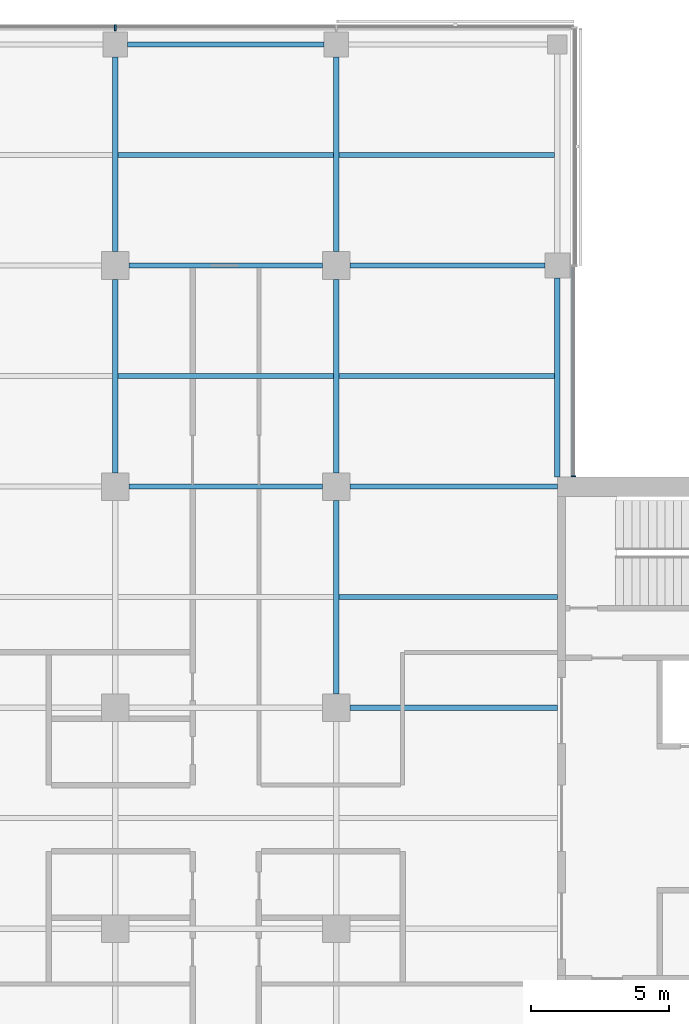
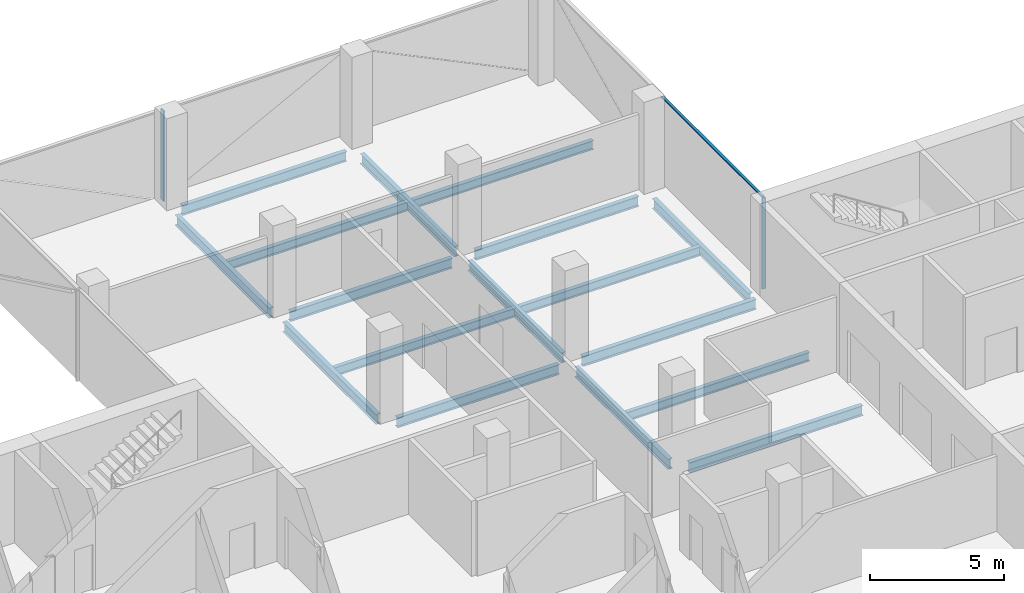
# One storey, part 9 of 22: 17 beams, 3 members, 2 elements without a shape of their own.
"""IFC4 building model written with IfcOpenShell, lengths in metres."""

from ifc_helpers import new_model, si_unit, direction, frame, origin, origin_2d, place, context, subcontext, project, spatial, rectangle, i_section, extrude, material, material_profile, profile_set, type_object, element, aggregate, save


model = new_model("IFC4")

# Units and contexts
model_context = context("Model", 3, precision=1e-05, world=origin(), true_north=direction((0.0, 1.0)))
body_context = subcontext(model_context, "Body", "Model", "MODEL_VIEW")
ifc_project = project(units=[si_unit("LENGTHUNIT", "METRE"), si_unit("AREAUNIT", "SQUARE_METRE"), si_unit("VOLUMEUNIT", "CUBIC_METRE"), si_unit("PLANEANGLEUNIT", "RADIAN"), si_unit("MASSUNIT", "GRAM", prefix="KILO")], contexts=[model_context])

# Site, building, storey
site_placement = place(None, origin())
site = spatial("IfcSite", under=ifc_project, at=site_placement, CompositionType="ELEMENT")
building_placement = place(site_placement, origin())
building = spatial("IfcBuilding", under=site, at=building_placement, Name="Crosswind Convention Tower", CompositionType="ELEMENT")
storey_placement = place(building_placement, frame((0.0, 0.0, 116.89990234375)))
storey = spatial("IfcBuildingStorey", under=building, at=storey_placement, Name="L23", CompositionType="ELEMENT", Elevation=116.89990234375)

# Beams
ifc_material_1 = material(Name="Steel S355", Category="steel")
ifc_material_profile_1 = material_profile(ifc_material_1, i_section(OverallWidth=0.18994140625, OverallDepth=0.45361328125, WebThickness=0.008544921875, FlangeThickness=0.0126953125, FilletRadius=0.01025390625, at=origin_2d()), Name="UB 457x191x67")
ifc_profile_set_1 = profile_set([ifc_material_profile_1], Name="Steel S355")
beam_type_1 = type_object("IfcBeamType", Name="Edge beam UB 457x191x67", PredefinedType="SPANDREL", material=ifc_profile_set_1)
beam_1_placement = place(storey_placement, frame((121.449951171875, 128.0, -0.526611328125), z_axis=(1.0, 0.0, 0.0), x_axis=(0.0, 1.0, 0.0)))
element("IfcBeam", 1, at=beam_1_placement, inside=storey, type_object=beam_type_1, Name="B16 L23 edge beam 13", PredefinedType="SPANDREL", context=body_context, shape_type="SweptSolid", body=[
    extrude(i_section(OverallWidth=0.18994140625, OverallDepth=0.45361328125, WebThickness=0.008544921875, FlangeThickness=0.0126953125, FilletRadius=0.01025390625, at=origin_2d()), origin(), (0.0, 0.0, 1.0), 7.10009765625),
])
beam_2_placement = place(storey_placement, frame((137.0, 112.35009765625, -0.526611328125), z_axis=(0.0, 1.0, 0.0), x_axis=(-1.0, 0.0, 0.0)))
element("IfcBeam", 2, at=beam_2_placement, inside=storey, type_object=beam_type_1, Name="B16 L23 edge beam 18", PredefinedType="SPANDREL", context=body_context, shape_type="SweptSolid", body=[
    extrude(i_section(OverallWidth=0.18994140625, OverallDepth=0.45361328125, WebThickness=0.008544921875, FlangeThickness=0.0126953125, FilletRadius=0.01025390625, at=origin_2d()), origin(), (0.0, 0.0, 1.0), 7.199951171875),
])
ifc_material_profile_2 = material_profile(ifc_material_1, i_section(OverallWidth=0.19140625, OverallDepth=0.460205078125, WebThickness=0.010009765625, FlangeThickness=0.01611328125, FilletRadius=0.01025390625, at=origin_2d()), Name="UB 457x191x82")
ifc_profile_set_2 = profile_set([ifc_material_profile_2], Name="Steel S355")
beam_type_2 = type_object("IfcBeamType", Name="Girder UB 457x191x82", PredefinedType="BEAM", material=ifc_profile_set_2)
beam_3_placement = place(storey_placement, frame((121.0, 112.5, -0.530029296875), z_axis=(0.0, 1.0, 0.0), x_axis=(-1.0, 0.0, 0.0)))
element("IfcBeam", 3, at=beam_3_placement, inside=storey, type_object=beam_type_2, Name="B3 L23 girder 8", PredefinedType="BEAM", context=body_context, shape_type="SweptSolid", body=[
    extrude(i_section(OverallWidth=0.19140625, OverallDepth=0.460205078125, WebThickness=0.010009765625, FlangeThickness=0.01611328125, FilletRadius=0.01025390625, at=origin_2d()), origin(), (0.0, 0.0, 1.0), 7.0),
])
beam_4_placement = place(storey_placement, frame((121.0, 120.5, -0.530029296875), z_axis=(0.0, 1.0, 0.0), x_axis=(-1.0, 0.0, 0.0)))
element("IfcBeam", 4, at=beam_4_placement, inside=storey, type_object=beam_type_2, Name="B3 L23 girder 9", PredefinedType="BEAM", context=body_context, shape_type="SweptSolid", body=[
    extrude(i_section(OverallWidth=0.19140625, OverallDepth=0.460205078125, WebThickness=0.010009765625, FlangeThickness=0.01611328125, FilletRadius=0.01025390625, at=origin_2d()), origin(), (0.0, 0.0, 1.0), 7.050048828125),
])
for number, where, z_axis, x_axis, name in (
    (5, (121.5, 112.0, -0.530029296875), (1.0, 0.0, 0.0), (0.0, 1.0, 0.0), "B3 L23 girder 14"),
    (6, (121.5, 120.0, -0.530029296875), (1.0, 0.0, 0.0), (0.0, 1.0, 0.0), "B3 L23 girder 15"),
    (7, (129.0, 104.5, -0.530029296875), (0.0, 1.0, 0.0), (-1.0, 0.0, 0.0), "B3 L23 girder 20"),
    (8, (129.0, 112.5, -0.530029296875), (0.0, 1.0, 0.0), (-1.0, 0.0, 0.0), "B3 L23 girder 21"),
):
    element("IfcBeam", number, at=place(storey_placement, frame(where, z_axis=z_axis, x_axis=x_axis)), inside=storey, type_object=beam_type_2, Name=name, PredefinedType="BEAM", context=body_context, shape_type="SweptSolid", body=[
        extrude(i_section(OverallWidth=0.19140625, OverallDepth=0.460205078125, WebThickness=0.010009765625, FlangeThickness=0.01611328125, FilletRadius=0.01025390625, at=origin_2d()), origin(), (0.0, 0.0, 1.0), 7.0),
    ])
for number, where, z_axis, x_axis, name in (
    (9, (129.0, 120.5, -0.530029296875), (0.0, 1.0, 0.0), (-1.0, 0.0, 0.0), "B3 L23 girder 22"),
    (10, (129.5, 120.0, -0.530029296875), (1.0, 0.0, 0.0), (0.0, 1.0, 0.0), "B3 L23 girder 24"),
):
    element("IfcBeam", number, at=place(storey_placement, frame(where, z_axis=z_axis, x_axis=x_axis)), inside=storey, type_object=beam_type_2, Name=name, PredefinedType="BEAM", context=body_context, shape_type="SweptSolid", body=[
        extrude(i_section(OverallWidth=0.19140625, OverallDepth=0.460205078125, WebThickness=0.010009765625, FlangeThickness=0.01611328125, FilletRadius=0.01025390625, at=origin_2d()), origin(), (0.0, 0.0, 1.0), 7.050048828125),
    ])
ifc_material_profile_3 = material_profile(ifc_material_1, i_section(OverallWidth=0.19189453125, OverallDepth=0.463623046875, WebThickness=0.010498046875, FlangeThickness=0.017578125, FilletRadius=0.01025390625, at=origin_2d()), Name="UB 457x191x90")
ifc_profile_set_3 = profile_set([ifc_material_profile_3], Name="Steel S355")
beam_type_3 = type_object("IfcBeamType", Name="Girder at core wall UB 457x191x90", PredefinedType="BEAM", material=ifc_profile_set_3)
for number, where, z_axis, x_axis, name in (
    (11, (129.5, 104.0, -0.53173828125), (1.0, 0.0, 0.0), (0.0, 1.0, 0.0), "B24 L23 girder at core wall 9"),
    (12, (129.5, 112.0, -0.53173828125), (1.0, 0.0, 0.0), (0.0, 1.0, 0.0), "B24 L23 girder at core wall 10"),
):
    element("IfcBeam", number, at=place(storey_placement, frame(where, z_axis=z_axis, x_axis=x_axis)), inside=storey, type_object=beam_type_3, Name=name, PredefinedType="BEAM", context=body_context, shape_type="SweptSolid", body=[
        extrude(i_section(OverallWidth=0.19189453125, OverallDepth=0.463623046875, WebThickness=0.010498046875, FlangeThickness=0.017578125, FilletRadius=0.01025390625, at=origin_2d()), origin(), (0.0, 0.0, 1.0), 7.5),
    ])

# Curtain wall, member
ifc_material_2 = material(Name="Aluminium unitised curtain wall", Category="aluminium")
curtain_wall_type_1 = type_object("IfcCurtainWallType", Name="CORE END SLOT WALL 160", PredefinedType="USERDEFINED", material=ifc_material_2)
curtain_wall_1_placement = place(storey_placement, origin())
curtain_wall_1 = element("IfcCurtainWall", 13, at=curtain_wall_1_placement, inside=storey, type_object=curtain_wall_type_1, Name="CW6 L23 N-E.1-1 slot", ObjectType="UNITISED", PredefinedType="USERDEFINED")
ifc_material_3 = material(Name="Aluminium mullion", Category="aluminium")
ifc_material_profile_4 = material_profile(ifc_material_3, rectangle(XDim=0.159912109375, YDim=0.050048828125, at=origin_2d()), Name="AL 160X50")
ifc_profile_set_4 = profile_set([ifc_material_profile_4], Name="Aluminium mullion")
member_type_1 = type_object("IfcMemberType", Name="MULLION 50X160", PredefinedType="MULLION", material=ifc_profile_set_4)
member_1_placement = place(storey_placement, frame((137.580078125, 112.375, -0.2998046875), z_axis=(0.0, 0.0, 1.0), x_axis=(1.0, 0.0, 0.0)))
member_1 = element("IfcMember", 14, at=member_1_placement, type_object=member_type_1, Name="CW6 mullion 1", PredefinedType="MULLION", context=body_context, shape_type="SweptSolid", body=[
    extrude(rectangle(XDim=0.159912109375, YDim=0.050048828125, at=origin_2d()), origin(), (0.0, 0.0, 1.0), 4.14990234375),
])

curtain_wall_type_2 = type_object("IfcCurtainWallType", Name="OFFICE UNITISED WALL 220", PredefinedType="USERDEFINED", material=ifc_material_2)
curtain_wall_2_placement = place(storey_placement, origin())
curtain_wall_2 = element("IfcCurtainWall", 15, at=curtain_wall_2_placement, inside=storey, type_object=curtain_wall_type_2, Name="CW3 L23 N-TIP 1", ObjectType="UNITISED", PredefinedType="USERDEFINED")
ifc_material_profile_5 = material_profile(ifc_material_3, rectangle(XDim=0.219970703125, YDim=0.070068359375, at=origin_2d()), Name="AL 220X70")
ifc_profile_set_5 = profile_set([ifc_material_profile_5], Name="Aluminium mullion")
member_type_2 = type_object("IfcMemberType", Name="MULLION 70X220", PredefinedType="MULLION", material=ifc_profile_set_5)
member_2_placement = place(storey_placement, frame((121.0, 128.610107421875, -0.2998046875), z_axis=(0.0, 0.0, 1.0), x_axis=(0.0, 1.0, 0.0)))
member_2 = element("IfcMember", 16, at=member_2_placement, type_object=member_type_2, Name="CW3 mullion 3", PredefinedType="MULLION", context=body_context, shape_type="SweptSolid", body=[
    extrude(rectangle(XDim=0.219970703125, YDim=0.070068359375, at=origin_2d()), origin(), (0.0, 0.0, 1.0), 4.1298828125),
])
aggregate(curtain_wall_2, [member_2])

# Beams
ifc_material_profile_6 = material_profile(ifc_material_1, i_section(OverallWidth=0.177734375, OverallDepth=0.406494140625, WebThickness=0.0078125, FlangeThickness=0.0126953125, FilletRadius=0.01025390625, at=origin_2d()), Name="UB 406x178x60")
ifc_profile_set_6 = profile_set([ifc_material_profile_6], Name="Steel S355")
beam_type_4 = type_object("IfcBeamType", Name="Secondary beam UB 406x178x60", PredefinedType="JOIST", material=ifc_profile_set_6)
for number, where, z_axis, x_axis, name in (
    (17, (121.095703125, 116.0, -0.503173828125), (1.0, 0.0, 0.0), (0.0, 1.0, 0.0), "B10 L23 secondary beam 16"),
    (18, (121.095703125, 124.0, -0.503173828125), (1.0, 0.0, 0.0), (0.0, 1.0, 0.0), "B10 L23 secondary beam 17"),
):
    element("IfcBeam", number, at=place(storey_placement, frame(where, z_axis=z_axis, x_axis=x_axis)), inside=storey, type_object=beam_type_4, Name=name, PredefinedType="JOIST", context=body_context, shape_type="SweptSolid", body=[
        extrude(i_section(OverallWidth=0.177734375, OverallDepth=0.406494140625, WebThickness=0.0078125, FlangeThickness=0.0126953125, FilletRadius=0.01025390625, at=origin_2d()), origin(), (0.0, 0.0, 1.0), 7.80859375),
    ])
beam_5_placement = place(storey_placement, frame((129.095703125, 108.0, -0.503173828125), z_axis=(1.0, 0.0, 0.0), x_axis=(0.0, 1.0, 0.0)))
element("IfcBeam", 19, at=beam_5_placement, inside=storey, type_object=beam_type_4, Name="B10 L23 secondary beam 22", PredefinedType="JOIST", context=body_context, shape_type="SweptSolid", body=[
    extrude(i_section(OverallWidth=0.177734375, OverallDepth=0.406494140625, WebThickness=0.0078125, FlangeThickness=0.0126953125, FilletRadius=0.01025390625, at=origin_2d()), origin(), (0.0, 0.0, 1.0), 7.904296875),
])
for number, where, z_axis, x_axis, name in (
    (20, (129.095703125, 116.0, -0.503173828125), (1.0, 0.0, 0.0), (0.0, 1.0, 0.0), "B10 L23 secondary beam 23"),
    (21, (129.095703125, 124.0, -0.503173828125), (1.0, 0.0, 0.0), (0.0, 1.0, 0.0), "B10 L23 secondary beam 24"),
):
    element("IfcBeam", number, at=place(storey_placement, frame(where, z_axis=z_axis, x_axis=x_axis)), inside=storey, type_object=beam_type_4, Name=name, PredefinedType="JOIST", context=body_context, shape_type="SweptSolid", body=[
        extrude(i_section(OverallWidth=0.177734375, OverallDepth=0.406494140625, WebThickness=0.0078125, FlangeThickness=0.0126953125, FilletRadius=0.01025390625, at=origin_2d()), origin(), (0.0, 0.0, 1.0), 7.809326171875),
    ])

# Member
ifc_material_4 = material(Name="Aluminium transom", Category="aluminium")
ifc_material_profile_7 = material_profile(ifc_material_4, rectangle(XDim=0.1201171875, YDim=0.050048828125, at=origin_2d()), Name="AL 120X50")
ifc_profile_set_7 = profile_set([ifc_material_profile_7], Name="Aluminium transom")
member_type_3 = type_object("IfcMemberType", Name="TRANSOM 50X120", PredefinedType="USERDEFINED", material=ifc_profile_set_7)
member_3_placement = place(storey_placement, frame((137.580078125, 112.39990234375, 3.875), z_axis=(0.0, 1.0, 0.0), x_axis=(-1.0, 0.0, 0.0)))
member_3 = element("IfcMember", 22, at=member_3_placement, type_object=member_type_3, Name="CW6 transom", ObjectType="TRANSOM", PredefinedType="USERDEFINED", context=body_context, shape_type="SweptSolid", body=[
    extrude(rectangle(XDim=0.1201171875, YDim=0.050048828125, at=origin_2d()), origin(), (0.0, 0.0, 1.0), 7.550048828125),
])

aggregate(curtain_wall_1, [member_1, member_3])

save(model, "model.ifc")
